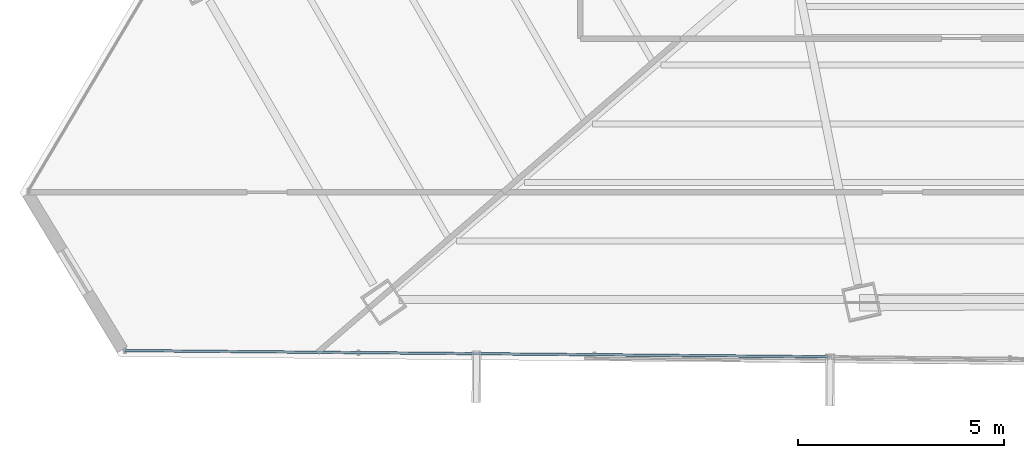
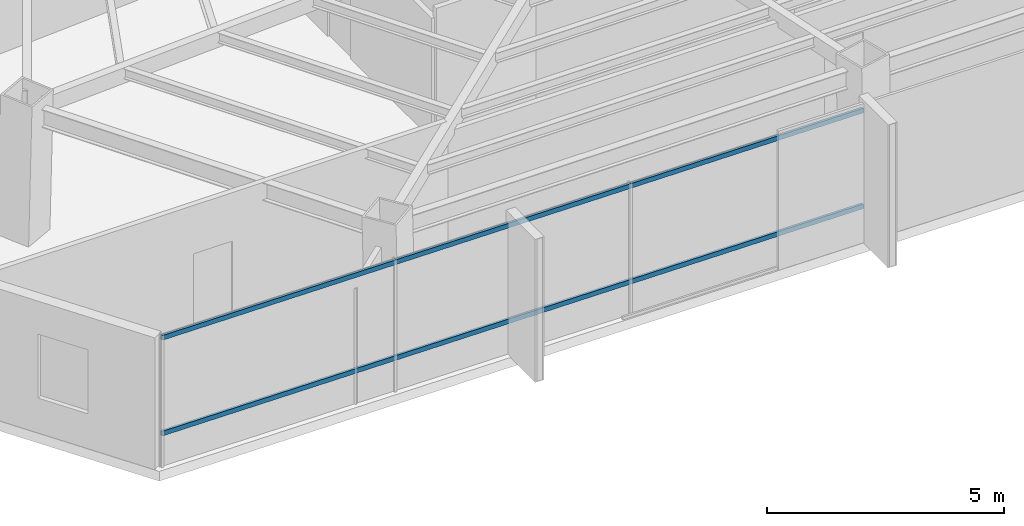
# One storey, part 5 of 47: 2 members, 1 element without a shape of its own.
"""IFC4 building model written with IfcOpenShell, lengths in metres."""

from ifc_helpers import new_model, si_unit, direction, frame, origin, origin_2d, place, context, subcontext, project, spatial, hollow_rectangle, extrude, source, transform, mapped, material, material_profile, profile_set, type_object, type_shapes, element, aggregate, save


model = new_model("IFC4")

# Units and contexts
model_context = context("Model", 3, precision=1e-05, world=origin(), true_north=direction((0.0, 1.0)))
body_context = subcontext(model_context, "Body", "Model", "MODEL_VIEW")
ifc_project = project(units=[si_unit("LENGTHUNIT", "METRE"), si_unit("AREAUNIT", "SQUARE_METRE"), si_unit("VOLUMEUNIT", "CUBIC_METRE"), si_unit("PLANEANGLEUNIT", "RADIAN"), si_unit("MASSUNIT", "GRAM", prefix="KILO")], contexts=[model_context])

# Site, building, storey
site_placement = place(None, origin())
site = spatial("IfcSite", under=ifc_project, at=site_placement, CompositionType="ELEMENT")
building_placement = place(site_placement, origin())
building = spatial("IfcBuilding", under=site, at=building_placement, Name="Caelisora Broadcast Tower", CompositionType="ELEMENT")
storey_placement = place(building_placement, frame((0.0, 0.0, 229.85009765625)))
storey = spatial("IfcBuildingStorey", under=building, at=storey_placement, Name="L60", CompositionType="ELEMENT", Elevation=229.85009765625)

# Curtain wall, members
ifc_material_1 = material(Name="Unitised Aluminium and Low-E Glass Curtain Wall", Category="glass")
curtain_wall_type = type_object("IfcCurtainWallType", Name="CW-Z5", PredefinedType="NOTDEFINED", material=ifc_material_1)
curtain_wall_placement = place(storey_placement, origin())
curtain_wall = element("IfcCurtainWall", 1, at=curtain_wall_placement, inside=storey, type_object=curtain_wall_type, Name="L60 curtain wall CW-Z5", PredefinedType="NOTDEFINED")
ifc_material_2 = material(Name="Aluminium 6063-T6 Anodised Terracotta Bronze", Category="aluminium")
ifc_material_profile = material_profile(ifc_material_2, hollow_rectangle(XDim=0.06005859375, YDim=0.1201171875, WallThickness=0.0029296875, at=origin_2d()), Name="Aluminium 6063-T6 Anodised Terracotta Bronze")
ifc_profile_set = profile_set([ifc_material_profile], Name="Aluminium 6063-T6 Anodised Terracotta Bronze")
member_type = type_object("IfcMemberType", Name="CWT-03", PredefinedType="USERDEFINED", material=ifc_profile_set)
shared_shape = source(origin(), body_context, "Body", "SweptSolid", [
    extrude(hollow_rectangle(XDim=0.06005859375, YDim=0.1201171875, WallThickness=0.0029296875, at=origin_2d()), origin(), (0.0, 0.0, 1.0), 17.027587890625),
])
type_shapes(member_type, [shared_shape])
member_1_placement = place(storey_placement, frame((31.39794921875, 7.49365234375, 0.849853515625), z_axis=(-0.999960741601, 0.008860883518, 0.0), x_axis=(-0.008860883518, -0.999960741601, 0.0)))
member_1 = element("IfcMember", 2, at=member_1_placement, type_object=member_type, Name="L60-CW-B07 transom #1", ObjectType="TRANSOM", PredefinedType="USERDEFINED", context=body_context, shape_type="MappedRepresentation", body=[
    mapped(shared_shape, transform((0.0, 0.0, 0.0), scale=1.0)),
])
member_2_placement = place(storey_placement, frame((31.39794921875, 7.49365234375, 3.31982421875), z_axis=(-0.999960741601, 0.008860883518, 0.0), x_axis=(-0.008860883518, -0.999960741601, 0.0)))
member_2 = element("IfcMember", 3, at=member_2_placement, type_object=member_type, Name="L60-CW-B07 transom #2", ObjectType="TRANSOM", PredefinedType="USERDEFINED", context=body_context, shape_type="MappedRepresentation", body=[
    mapped(shared_shape, transform((0.0, 0.0, 0.0), scale=1.0)),
])
aggregate(curtain_wall, [member_1, member_2])

save(model, "model.ifc")
